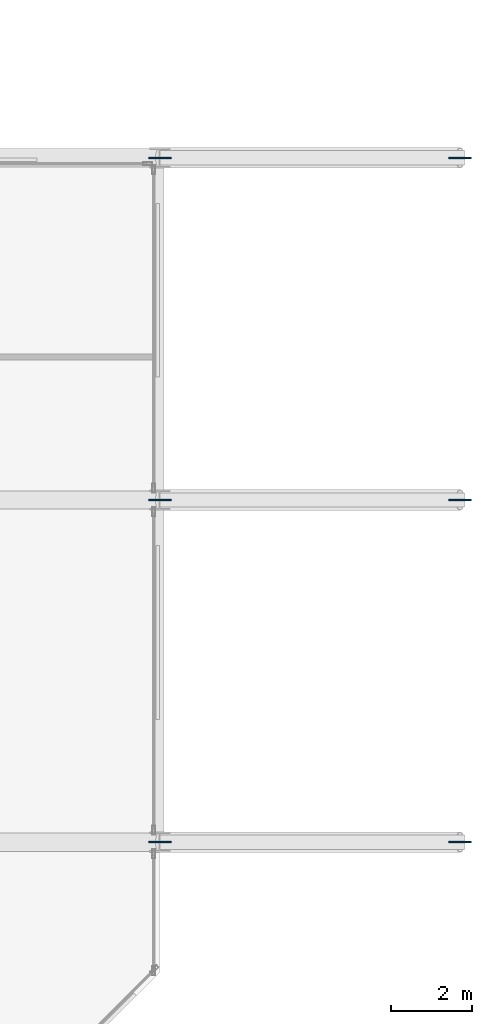
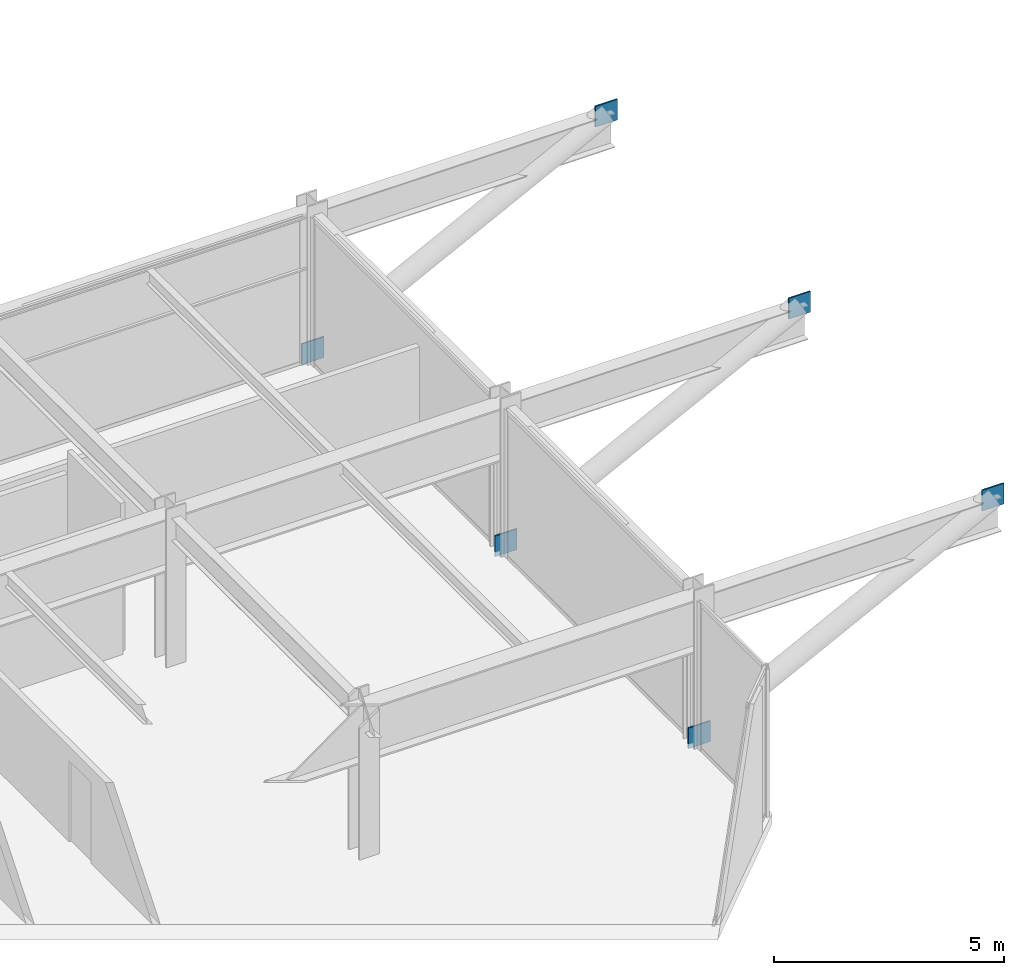
# One storey, part 19 of 25: 6 plates.
"""IFC4 building model written with IfcOpenShell, lengths in metres."""

from ifc_helpers import new_model, si_unit, direction, frame, origin, origin_2d, place, context, subcontext, project, spatial, rectangle, extrude, material, layer, layer_set, type_object, element, save


model = new_model("IFC4")

# Units and contexts
model_context = context("Model", 3, precision=1e-05, world=origin(), true_north=direction((0.0, 1.0)))
body_context = subcontext(model_context, "Body", "Model", "MODEL_VIEW")
ifc_project = project(units=[si_unit("LENGTHUNIT", "METRE"), si_unit("AREAUNIT", "SQUARE_METRE"), si_unit("VOLUMEUNIT", "CUBIC_METRE"), si_unit("PLANEANGLEUNIT", "RADIAN"), si_unit("MASSUNIT", "GRAM", prefix="KILO")], contexts=[model_context])

# Site, building, storey
site_placement = place(None, origin())
site = spatial("IfcSite", under=ifc_project, at=site_placement, CompositionType="ELEMENT")
building_placement = place(site_placement, origin())
building = spatial("IfcBuilding", under=site, at=building_placement, Name="Nerrivon Quay Data Exchange", CompositionType="ELEMENT")
storey_placement = place(building_placement, frame((0.0, 0.0, 58.39990234375)))
storey = spatial("IfcBuildingStorey", under=building, at=storey_placement, Name="L13", CompositionType="ELEMENT", Elevation=58.39990234375)

# Plates
ifc_material = material(Name="Steel Grade 350", Category="steel")
ifc_layer = layer(ifc_material, 0.0400390625)
ifc_layer_set = layer_set([ifc_layer], Name="Steel Grade 350")
plate_type = type_object("IfcPlateType", Name="PLT-TN01", PredefinedType="USERDEFINED", material=ifc_layer_set)
for number, where, z_axis, x_axis, name in (
    (1, (50.4140625, 8.39990234375, -0.125), (0.0, 0.0, 1.0), (1.0, 0.0, 0.0), "L13 node plate 1"),
    (2, (57.780029296875, 8.39990234375, 3.60009765625), (0.0, 0.0, 1.0), (1.0, 0.0, 0.0), "L13 node plate 2"),
    (3, (50.4140625, 16.800048828125, -0.125), (0.0, 0.0, 1.0), (1.0, 0.0, 0.0), "L13 node plate 3"),
    (4, (57.780029296875, 16.800048828125, 3.60009765625), (0.0, 0.0, 1.0), (1.0, 0.0, 0.0), "L13 node plate 4"),
    (5, (50.4140625, 25.199951171875, -0.125), (0.0, 0.0, 1.0), (1.0, 0.0, 0.0), "L13 node plate 5"),
    (6, (57.780029296875, 25.199951171875, 3.60009765625), (0.0, 0.0, 1.0), (1.0, 0.0, 0.0), "L13 node plate 6"),
):
    element("IfcPlate", number, at=place(storey_placement, frame(where, z_axis=z_axis, x_axis=x_axis)), inside=storey, type_object=plate_type, Name=name, ObjectType="GUSSET PLATE", PredefinedType="USERDEFINED", context=body_context, shape_type="SweptSolid", body=[
        extrude(rectangle(XDim=0.550048828125, YDim=0.035888671875, at=origin_2d()), origin(), (0.0, 0.0, 1.0), 0.550048828125),
    ])

save(model, "model.ifc")
